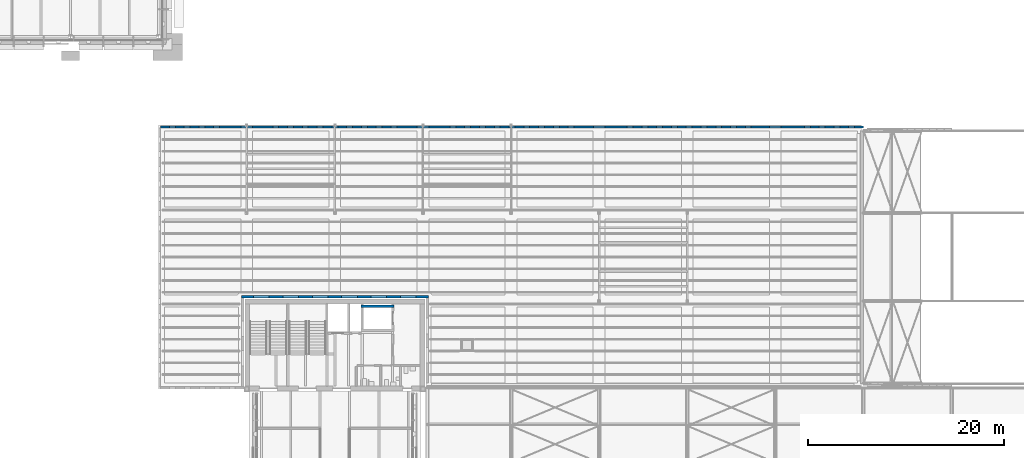
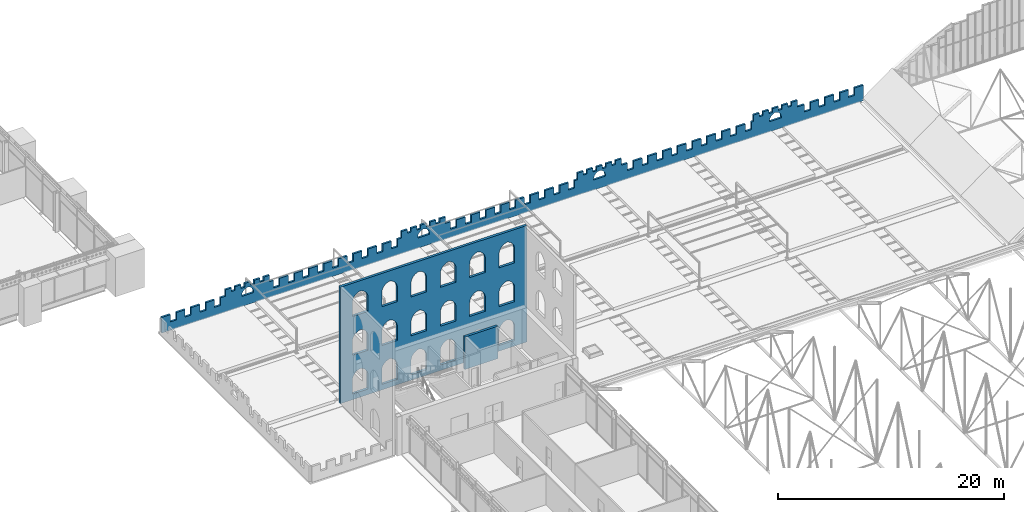
# One storey, part 111 of 153: 3 walls.
"""IFC4 building model written with IfcOpenShell, lengths in metres."""

from ifc_helpers import new_model, si_unit, direction, frame, frame_2d, origin, place, context, subcontext, project, spatial, polyline, rectangle, outline, extrude, material, layer, layer_set, type_object, element, save


model = new_model("IFC4")

# Units and contexts
model_context = context("Model", 3, precision=1e-05, world=origin(), true_north=direction((0.0, 1.0)))
body_context = subcontext(model_context, "Body", "Model", "MODEL_VIEW")
ifc_project = project(units=[si_unit("LENGTHUNIT", "METRE"), si_unit("AREAUNIT", "SQUARE_METRE"), si_unit("VOLUMEUNIT", "CUBIC_METRE"), si_unit("PLANEANGLEUNIT", "RADIAN"), si_unit("MASSUNIT", "GRAM", prefix="KILO")], contexts=[model_context])

# Site, building, storey
site_placement = place(None, origin())
site = spatial("IfcSite", under=ifc_project, at=site_placement, CompositionType="ELEMENT")
building_placement = place(site_placement, origin())
building = spatial("IfcBuilding", under=site, at=building_placement, Name="Baradari Gate Terminus", CompositionType="ELEMENT")
storey_placement = place(building_placement, frame((0.0, 0.0, 11.699951171875)))
storey = spatial("IfcBuildingStorey", under=building, at=storey_placement, Name="L02", CompositionType="ELEMENT", Elevation=11.699951171875)

# Walls
ifc_material_1 = material(Name="Concrete C32/40", Category="concrete")
ifc_layer_1 = layer(ifc_material_1, 0.25)
ifc_layer_set_1 = layer_set([ifc_layer_1], Name="Concrete C32/40")
wall_type_1 = type_object("IfcWallType", Name="Firefighting lift shaft wall SH-2 250 EI 120", PredefinedType="SOLIDWALL", material=ifc_layer_set_1)
wall_1_placement = place(storey_placement, frame((83.64990234375, 89.47509765625, 0.0), z_axis=(0.0, 0.0, 1.0), x_axis=(1.0, 0.0, 0.0)))
element("IfcWall", 1, at=wall_1_placement, inside=storey, type_object=wall_type_1, Name="Lift shaft wall LGN2 L02 N", PredefinedType="SOLIDWALL", context=body_context, shape_type="SweptSolid", body=[
    extrude(rectangle(XDim=3.400146484375, YDim=0.25, at=frame_2d((1.7001953125, 0.0))), origin(), (0.0, 0.0, 1.0), 3.51611328125),
])
ifc_material_2 = material(Name="Laterite masonry", Category="masonry")
ifc_layer_2 = layer(ifc_material_2, 0.25)
ifc_layer_set_2 = layer_set([ifc_layer_2], Name="Laterite masonry")
wall_type_2 = type_object("IfcWallType", Name="Laterite masonry wall WP-1 250", PredefinedType="SOLIDWALL", material=ifc_layer_set_2)
wall_2_placement = place(storey_placement, frame((71.449951171875, 90.425048828125, 0.0), z_axis=(0.0, 0.0, 1.0), x_axis=(1.0, 0.0, 0.0)))
element("IfcWall", 2, at=wall_2_placement, inside=storey, type_object=wall_type_2, Name="Core front course GN far face 1", PredefinedType="SOLIDWALL", context=body_context, shape_type="SweptSolid", body=[
    extrude(outline(polyline([(0.0, 0.0), (19.10009765625, 0.0), (19.10009765625, 12.60009765625), (0.0, 12.60009765625), (0.0, 0.0)]), holes=[polyline([(1.307861328125, 2.439453125), (1.35205078125, 2.545654296875), (1.40771484375, 2.646484375), (1.474609375, 2.740234375), (1.551513671875, 2.826171875), (1.6376953125, 2.90283203125), (1.731689453125, 2.96923828125), (1.83251953125, 3.024658203125), (1.939208984375, 3.068359375), (2.050048828125, 3.10009765625), (2.160888671875, 3.068359375), (2.267333984375, 3.024658203125), (2.368408203125, 2.96923828125), (2.46240234375, 2.90283203125), (2.548583984375, 2.826171875), (2.62548828125, 2.740234375), (2.692138671875, 2.646484375), (2.748046875, 2.545654296875), (2.792236328125, 2.439453125), (2.82421875, 2.32861328125), (2.843505859375, 2.215087890625), (2.85009765625, 2.10009765625), (2.85009765625, 0.60009765625), (1.25, 0.60009765625), (1.25, 2.10009765625), (1.256591796875, 2.215087890625), (1.27587890625, 2.32861328125), (1.307861328125, 2.439453125)]), polyline([(4.307861328125, 2.439453125), (4.35205078125, 2.545654296875), (4.40771484375, 2.646484375), (4.474609375, 2.740234375), (4.551513671875, 2.826171875), (4.6376953125, 2.90283203125), (4.731689453125, 2.96923828125), (4.83251953125, 3.024658203125), (4.939208984375, 3.068359375), (5.050048828125, 3.10009765625), (5.160888671875, 3.068359375), (5.267333984375, 3.024658203125), (5.368408203125, 2.96923828125), (5.46240234375, 2.90283203125), (5.548583984375, 2.826171875), (5.62548828125, 2.740234375), (5.692138671875, 2.646484375), (5.748046875, 2.545654296875), (5.792236328125, 2.439453125), (5.82421875, 2.32861328125), (5.843505859375, 2.215087890625), (5.85009765625, 2.10009765625), (5.85009765625, 0.60009765625), (4.25, 0.60009765625), (4.25, 2.10009765625), (4.256591796875, 2.215087890625), (4.27587890625, 2.32861328125), (4.307861328125, 2.439453125)]), polyline([(7.307861328125, 2.439453125), (7.35205078125, 2.545654296875), (7.40771484375, 2.646484375), (7.474609375, 2.740234375), (7.551513671875, 2.826171875), (7.6376953125, 2.90283203125), (7.731689453125, 2.96923828125), (7.83251953125, 3.024658203125), (7.939208984375, 3.068359375), (8.050048828125, 3.10009765625), (8.160888671875, 3.068359375), (8.267333984375, 3.024658203125), (8.368408203125, 2.96923828125), (8.46240234375, 2.90283203125), (8.548583984375, 2.826171875), (8.62548828125, 2.740234375), (8.692138671875, 2.646484375), (8.748046875, 2.545654296875), (8.792236328125, 2.439453125), (8.82421875, 2.32861328125), (8.843505859375, 2.215087890625), (8.85009765625, 2.10009765625), (8.85009765625, 0.60009765625), (7.25, 0.60009765625), (7.25, 2.10009765625), (7.256591796875, 2.215087890625), (7.27587890625, 2.32861328125), (7.307861328125, 2.439453125)]), polyline([(1.307861328125, 6.639404296875), (1.35205078125, 6.745849609375), (1.40771484375, 6.846435546875), (1.474609375, 6.9404296875), (1.551513671875, 7.026123046875), (1.6376953125, 7.102783203125), (1.731689453125, 7.169189453125), (1.83251953125, 7.224609375), (1.939208984375, 7.2685546875), (2.050048828125, 7.300048828125), (2.160888671875, 7.2685546875), (2.267333984375, 7.224609375), (2.368408203125, 7.169189453125), (2.46240234375, 7.102783203125), (2.548583984375, 7.026123046875), (2.62548828125, 6.9404296875), (2.692138671875, 6.846435546875), (2.748046875, 6.745849609375), (2.792236328125, 6.639404296875), (2.82421875, 6.528564453125), (2.843505859375, 6.4150390625), (2.85009765625, 6.300048828125), (2.85009765625, 4.800048828125), (1.25, 4.800048828125), (1.25, 6.300048828125), (1.256591796875, 6.4150390625), (1.27587890625, 6.528564453125), (1.307861328125, 6.639404296875)]), polyline([(4.307861328125, 6.639404296875), (4.35205078125, 6.745849609375), (4.40771484375, 6.846435546875), (4.474609375, 6.9404296875), (4.551513671875, 7.026123046875), (4.6376953125, 7.102783203125), (4.731689453125, 7.169189453125), (4.83251953125, 7.224609375), (4.939208984375, 7.2685546875), (5.050048828125, 7.300048828125), (5.160888671875, 7.2685546875), (5.267333984375, 7.224609375), (5.368408203125, 7.169189453125), (5.46240234375, 7.102783203125), (5.548583984375, 7.026123046875), (5.62548828125, 6.9404296875), (5.692138671875, 6.846435546875), (5.748046875, 6.745849609375), (5.792236328125, 6.639404296875), (5.82421875, 6.528564453125), (5.843505859375, 6.4150390625), (5.85009765625, 6.300048828125), (5.85009765625, 4.800048828125), (4.25, 4.800048828125), (4.25, 6.300048828125), (4.256591796875, 6.4150390625), (4.27587890625, 6.528564453125), (4.307861328125, 6.639404296875)]), polyline([(7.307861328125, 6.639404296875), (7.35205078125, 6.745849609375), (7.40771484375, 6.846435546875), (7.474609375, 6.9404296875), (7.551513671875, 7.026123046875), (7.6376953125, 7.102783203125), (7.731689453125, 7.169189453125), (7.83251953125, 7.224609375), (7.939208984375, 7.2685546875), (8.050048828125, 7.300048828125), (8.160888671875, 7.2685546875), (8.267333984375, 7.224609375), (8.368408203125, 7.169189453125), (8.46240234375, 7.102783203125), (8.548583984375, 7.026123046875), (8.62548828125, 6.9404296875), (8.692138671875, 6.846435546875), (8.748046875, 6.745849609375), (8.792236328125, 6.639404296875), (8.82421875, 6.528564453125), (8.843505859375, 6.4150390625), (8.85009765625, 6.300048828125), (8.85009765625, 4.800048828125), (7.25, 4.800048828125), (7.25, 6.300048828125), (7.256591796875, 6.4150390625), (7.27587890625, 6.528564453125), (7.307861328125, 6.639404296875)]), polyline([(1.307861328125, 10.83935546875), (1.35205078125, 10.94580078125), (1.40771484375, 11.04638671875), (1.474609375, 11.140380859375), (1.551513671875, 11.22607421875), (1.6376953125, 11.302734375), (1.731689453125, 11.369140625), (1.83251953125, 11.424560546875), (1.939208984375, 11.468505859375), (2.050048828125, 11.5), (2.160888671875, 11.468505859375), (2.267333984375, 11.424560546875), (2.368408203125, 11.369140625), (2.46240234375, 11.302734375), (2.548583984375, 11.22607421875), (2.62548828125, 11.140380859375), (2.692138671875, 11.04638671875), (2.748046875, 10.94580078125), (2.792236328125, 10.83935546875), (2.82421875, 10.728759765625), (2.843505859375, 10.614990234375), (2.85009765625, 10.5), (2.85009765625, 9.0), (1.25, 9.0), (1.25, 10.5), (1.256591796875, 10.614990234375), (1.27587890625, 10.728759765625), (1.307861328125, 10.83935546875)]), polyline([(4.35205078125, 10.94580078125), (4.40771484375, 11.04638671875), (4.474609375, 11.140380859375), (4.551513671875, 11.22607421875), (4.6376953125, 11.302734375), (4.731689453125, 11.369140625), (4.83251953125, 11.424560546875), (4.939208984375, 11.468505859375), (5.050048828125, 11.5), (5.160888671875, 11.468505859375), (5.267333984375, 11.424560546875), (5.368408203125, 11.369140625), (5.46240234375, 11.302734375), (5.548583984375, 11.22607421875), (5.62548828125, 11.140380859375), (5.692138671875, 11.04638671875), (5.748046875, 10.94580078125), (5.792236328125, 10.83935546875), (5.82421875, 10.728759765625), (5.843505859375, 10.614990234375), (5.85009765625, 10.5), (5.85009765625, 9.0), (4.25, 9.0), (4.25, 10.5), (4.256591796875, 10.614990234375), (4.27587890625, 10.728759765625), (4.307861328125, 10.83935546875), (4.35205078125, 10.94580078125)]), polyline([(7.35205078125, 10.94580078125), (7.40771484375, 11.04638671875), (7.474609375, 11.140380859375), (7.551513671875, 11.22607421875), (7.6376953125, 11.302734375), (7.731689453125, 11.369140625), (7.83251953125, 11.424560546875), (7.939208984375, 11.468505859375), (8.050048828125, 11.5), (8.160888671875, 11.468505859375), (8.267333984375, 11.424560546875), (8.368408203125, 11.369140625), (8.46240234375, 11.302734375), (8.548583984375, 11.22607421875), (8.62548828125, 11.140380859375), (8.692138671875, 11.04638671875), (8.748046875, 10.94580078125), (8.792236328125, 10.83935546875), (8.82421875, 10.728759765625), (8.843505859375, 10.614990234375), (8.85009765625, 10.5), (8.85009765625, 9.0), (7.25, 9.0), (7.25, 10.5), (7.256591796875, 10.614990234375), (7.27587890625, 10.728759765625), (7.307861328125, 10.83935546875), (7.35205078125, 10.94580078125)]), polyline([(10.307861328125, 2.439453125), (10.35205078125, 2.545654296875), (10.40771484375, 2.646484375), (10.474609375, 2.740234375), (10.551513671875, 2.826171875), (10.6376953125, 2.90283203125), (10.731689453125, 2.96923828125), (10.83251953125, 3.024658203125), (10.939208984375, 3.068359375), (11.050048828125, 3.10009765625), (11.160888671875, 3.068359375), (11.267333984375, 3.024658203125), (11.368408203125, 2.96923828125), (11.46240234375, 2.90283203125), (11.548583984375, 2.826171875), (11.62548828125, 2.740234375), (11.692138671875, 2.646484375), (11.748046875, 2.545654296875), (11.792236328125, 2.439453125), (11.82421875, 2.32861328125), (11.843505859375, 2.215087890625), (11.85009765625, 2.10009765625), (11.85009765625, 0.60009765625), (10.25, 0.60009765625), (10.25, 2.10009765625), (10.256591796875, 2.215087890625), (10.27587890625, 2.32861328125), (10.307861328125, 2.439453125)]), polyline([(13.307861328125, 2.439453125), (13.35205078125, 2.545654296875), (13.40771484375, 2.646484375), (13.474609375, 2.740234375), (13.551513671875, 2.826171875), (13.6376953125, 2.90283203125), (13.731689453125, 2.96923828125), (13.83251953125, 3.024658203125), (13.939208984375, 3.068359375), (14.050048828125, 3.10009765625), (14.160888671875, 3.068359375), (14.267333984375, 3.024658203125), (14.368408203125, 2.96923828125), (14.46240234375, 2.90283203125), (14.548583984375, 2.826171875), (14.62548828125, 2.740234375), (14.692138671875, 2.646484375), (14.748046875, 2.545654296875), (14.792236328125, 2.439453125), (14.82421875, 2.32861328125), (14.843505859375, 2.215087890625), (14.85009765625, 2.10009765625), (14.85009765625, 0.60009765625), (13.25, 0.60009765625), (13.25, 2.10009765625), (13.256591796875, 2.215087890625), (13.27587890625, 2.32861328125), (13.307861328125, 2.439453125)]), polyline([(16.307861328125, 2.439453125), (16.35205078125, 2.545654296875), (16.40771484375, 2.646484375), (16.474609375, 2.740234375), (16.551513671875, 2.826171875), (16.6376953125, 2.90283203125), (16.731689453125, 2.96923828125), (16.83251953125, 3.024658203125), (16.939208984375, 3.068359375), (17.050048828125, 3.10009765625), (17.160888671875, 3.068359375), (17.267333984375, 3.024658203125), (17.368408203125, 2.96923828125), (17.46240234375, 2.90283203125), (17.548583984375, 2.826171875), (17.62548828125, 2.740234375), (17.692138671875, 2.646484375), (17.748046875, 2.545654296875), (17.792236328125, 2.439453125), (17.82421875, 2.32861328125), (17.843505859375, 2.215087890625), (17.85009765625, 2.10009765625), (17.85009765625, 0.60009765625), (16.25, 0.60009765625), (16.25, 2.10009765625), (16.256591796875, 2.215087890625), (16.27587890625, 2.32861328125), (16.307861328125, 2.439453125)]), polyline([(10.307861328125, 6.639404296875), (10.35205078125, 6.745849609375), (10.40771484375, 6.846435546875), (10.474609375, 6.9404296875), (10.551513671875, 7.026123046875), (10.6376953125, 7.102783203125), (10.731689453125, 7.169189453125), (10.83251953125, 7.224609375), (10.939208984375, 7.2685546875), (11.050048828125, 7.300048828125), (11.160888671875, 7.2685546875), (11.267333984375, 7.224609375), (11.368408203125, 7.169189453125), (11.46240234375, 7.102783203125), (11.548583984375, 7.026123046875), (11.62548828125, 6.9404296875), (11.692138671875, 6.846435546875), (11.748046875, 6.745849609375), (11.792236328125, 6.639404296875), (11.82421875, 6.528564453125), (11.843505859375, 6.4150390625), (11.85009765625, 6.300048828125), (11.85009765625, 4.800048828125), (10.25, 4.800048828125), (10.25, 6.300048828125), (10.256591796875, 6.4150390625), (10.27587890625, 6.528564453125), (10.307861328125, 6.639404296875)]), polyline([(13.307861328125, 6.639404296875), (13.35205078125, 6.745849609375), (13.40771484375, 6.846435546875), (13.474609375, 6.9404296875), (13.551513671875, 7.026123046875), (13.6376953125, 7.102783203125), (13.731689453125, 7.169189453125), (13.83251953125, 7.224609375), (13.939208984375, 7.2685546875), (14.050048828125, 7.300048828125), (14.160888671875, 7.2685546875), (14.267333984375, 7.224609375), (14.368408203125, 7.169189453125), (14.46240234375, 7.102783203125), (14.548583984375, 7.026123046875), (14.62548828125, 6.9404296875), (14.692138671875, 6.846435546875), (14.748046875, 6.745849609375), (14.792236328125, 6.639404296875), (14.82421875, 6.528564453125), (14.843505859375, 6.4150390625), (14.85009765625, 6.300048828125), (14.85009765625, 4.800048828125), (13.25, 4.800048828125), (13.25, 6.300048828125), (13.256591796875, 6.4150390625), (13.27587890625, 6.528564453125), (13.307861328125, 6.639404296875)]), polyline([(16.307861328125, 6.639404296875), (16.35205078125, 6.745849609375), (16.40771484375, 6.846435546875), (16.474609375, 6.9404296875), (16.551513671875, 7.026123046875), (16.6376953125, 7.102783203125), (16.731689453125, 7.169189453125), (16.83251953125, 7.224609375), (16.939208984375, 7.2685546875), (17.050048828125, 7.300048828125), (17.160888671875, 7.2685546875), (17.267333984375, 7.224609375), (17.368408203125, 7.169189453125), (17.46240234375, 7.102783203125), (17.548583984375, 7.026123046875), (17.62548828125, 6.9404296875), (17.692138671875, 6.846435546875), (17.748046875, 6.745849609375), (17.792236328125, 6.639404296875), (17.82421875, 6.528564453125), (17.843505859375, 6.4150390625), (17.85009765625, 6.300048828125), (17.85009765625, 4.800048828125), (16.25, 4.800048828125), (16.25, 6.300048828125), (16.256591796875, 6.4150390625), (16.27587890625, 6.528564453125), (16.307861328125, 6.639404296875)]), polyline([(10.307861328125, 10.83935546875), (10.35205078125, 10.94580078125), (10.40771484375, 11.04638671875), (10.474609375, 11.140380859375), (10.551513671875, 11.22607421875), (10.6376953125, 11.302734375), (10.731689453125, 11.369140625), (10.83251953125, 11.424560546875), (10.939208984375, 11.468505859375), (11.050048828125, 11.5), (11.160888671875, 11.468505859375), (11.267333984375, 11.424560546875), (11.368408203125, 11.369140625), (11.46240234375, 11.302734375), (11.548583984375, 11.22607421875), (11.62548828125, 11.140380859375), (11.692138671875, 11.04638671875), (11.748046875, 10.94580078125), (11.792236328125, 10.83935546875), (11.82421875, 10.728759765625), (11.843505859375, 10.614990234375), (11.85009765625, 10.5), (11.85009765625, 9.0), (10.25, 9.0), (10.25, 10.5), (10.256591796875, 10.614990234375), (10.27587890625, 10.728759765625), (10.307861328125, 10.83935546875)]), polyline([(13.35205078125, 10.94580078125), (13.40771484375, 11.04638671875), (13.474609375, 11.140380859375), (13.551513671875, 11.22607421875), (13.6376953125, 11.302734375), (13.731689453125, 11.369140625), (13.83251953125, 11.424560546875), (13.939208984375, 11.468505859375), (14.050048828125, 11.5), (14.160888671875, 11.468505859375), (14.267333984375, 11.424560546875), (14.368408203125, 11.369140625), (14.46240234375, 11.302734375), (14.548583984375, 11.22607421875), (14.62548828125, 11.140380859375), (14.692138671875, 11.04638671875), (14.748046875, 10.94580078125), (14.792236328125, 10.83935546875), (14.82421875, 10.728759765625), (14.843505859375, 10.614990234375), (14.85009765625, 10.5), (14.85009765625, 9.0), (13.25, 9.0), (13.25, 10.5), (13.256591796875, 10.614990234375), (13.27587890625, 10.728759765625), (13.307861328125, 10.83935546875), (13.35205078125, 10.94580078125)]), polyline([(16.35205078125, 10.94580078125), (16.40771484375, 11.04638671875), (16.474609375, 11.140380859375), (16.551513671875, 11.22607421875), (16.6376953125, 11.302734375), (16.731689453125, 11.369140625), (16.83251953125, 11.424560546875), (16.939208984375, 11.468505859375), (17.050048828125, 11.5), (17.160888671875, 11.468505859375), (17.267333984375, 11.424560546875), (17.368408203125, 11.369140625), (17.46240234375, 11.302734375), (17.548583984375, 11.22607421875), (17.62548828125, 11.140380859375), (17.692138671875, 11.04638671875), (17.748046875, 10.94580078125), (17.792236328125, 10.83935546875), (17.82421875, 10.728759765625), (17.843505859375, 10.614990234375), (17.85009765625, 10.5), (17.85009765625, 9.0), (16.25, 9.0), (16.25, 10.5), (16.256591796875, 10.614990234375), (16.27587890625, 10.728759765625), (16.307861328125, 10.83935546875), (16.35205078125, 10.94580078125)])]), frame((0.0, 0.125, 0.0), z_axis=(0.0, -1.0, 0.0), x_axis=(1.0, 0.0, 0.0)), (0.0, 0.0, 1.0), 0.25),
])
ifc_material_3 = material(Name="Concrete C32/40 precast", Category="concrete")
ifc_layer_3 = layer(ifc_material_3, 0.199951171875)
ifc_layer_set_3 = layer_set([ifc_layer_3], Name="Concrete C32/40 precast")
wall_type_3 = type_object("IfcWallType", Name="Parapet PW-6 200x2400 wing crown", PredefinedType="PARAPET", material=ifc_layer_set_3)
wall_3_placement = place(storey_placement, frame((63.199951171875, 107.75341796875, 0.0), z_axis=(0.0, 0.0, 1.0), x_axis=(1.0, 0.0, 0.0)))
element("IfcWall", 3, at=wall_3_placement, inside=storey, type_object=wall_type_3, Name="Head-house roof parapet PR-H1 1 1", PredefinedType="PARAPET", context=body_context, shape_type="SweptSolid", body=[
    extrude(outline(polyline([(24.13623046875, 1.699951171875), (24.13623046875, 0.900146484375), (23.527587890625, 0.900146484375), (23.527587890625, 1.699951171875), (22.627685546875, 1.699951171875), (22.627685546875, 0.900146484375), (22.01904296875, 0.900146484375), (22.01904296875, 1.699951171875), (21.119140625, 1.699951171875), (21.119140625, 0.900146484375), (20.510498046875, 0.900146484375), (20.510498046875, 1.699951171875), (19.610595703125, 1.699951171875), (19.610595703125, 0.900146484375), (19.002197265625, 0.900146484375), (19.002197265625, 1.699951171875), (18.10205078125, 1.699951171875), (18.10205078125, 0.900146484375), (17.49365234375, 0.900146484375), (17.49365234375, 1.699951171875), (16.593505859375, 1.699951171875), (16.593505859375, 0.900146484375), (15.985107421875, 0.900146484375), (15.985107421875, 1.699951171875), (15.085205078125, 1.699951171875), (15.085205078125, 0.900146484375), (14.4765625, 0.900146484375), (14.4765625, 1.699951171875), (13.57666015625, 1.699951171875), (13.57666015625, 0.900146484375), (12.968017578125, 0.900146484375), (12.968017578125, 1.699951171875), (12.068115234375, 1.699951171875), (12.068115234375, 0.900146484375), (11.459716796875, 0.900146484375), (11.459716796875, 1.699951171875), (11.050048828125, 1.699951171875), (11.050048828125, 2.400146484375), (10.449951171875, 2.400146484375), (10.449951171875, 2.0), (10.074951171875, 2.0), (10.074951171875, 2.400146484375), (9.47509765625, 2.400146484375), (9.47509765625, 2.0), (9.10009765625, 2.0), (9.10009765625, 2.400146484375), (8.5, 2.400146484375), (8.5, 2.0), (8.125, 2.0), (8.125, 2.400146484375), (7.52490234375, 2.400146484375), (7.52490234375, 2.0), (7.14990234375, 2.0), (7.14990234375, 2.400146484375), (6.550048828125, 2.400146484375), (6.550048828125, 1.699951171875), (6.033935546875, 1.699951171875), (6.033935546875, 0.900146484375), (5.425537109375, 0.900146484375), (5.425537109375, 1.699951171875), (4.525390625, 1.699951171875), (4.525390625, 0.900146484375), (3.9169921875, 0.900146484375), (3.9169921875, 1.699951171875), (3.01708984375, 1.699951171875), (3.01708984375, 0.900146484375), (2.408447265625, 0.900146484375), (2.408447265625, 1.699951171875), (1.508544921875, 1.699951171875), (1.508544921875, 0.900146484375), (0.89990234375, 0.900146484375), (0.89990234375, 1.699951171875), (0.0, 1.699951171875), (0.0, 0.0), (71.800048828125, 0.0), (71.800048828125, 1.699951171875), (70.89990234375, 1.699951171875), (70.89990234375, 0.900146484375), (70.29150390625, 0.900146484375), (70.29150390625, 1.699951171875), (69.3916015625, 1.699951171875), (69.3916015625, 0.900146484375), (68.782958984375, 0.900146484375), (68.782958984375, 1.699951171875), (67.883056640625, 1.699951171875), (67.883056640625, 0.900146484375), (67.2744140625, 0.900146484375), (67.2744140625, 1.699951171875), (66.37451171875, 1.699951171875), (66.37451171875, 0.900146484375), (65.76611328125, 0.900146484375), (65.76611328125, 1.699951171875), (65.050048828125, 1.699951171875), (65.050048828125, 2.400146484375), (64.449951171875, 2.400146484375), (64.449951171875, 2.0), (64.074951171875, 2.0), (64.074951171875, 2.400146484375), (63.47509765625, 2.400146484375), (63.47509765625, 2.0), (63.10009765625, 2.0), (63.10009765625, 2.400146484375), (62.5, 2.400146484375), (62.5, 2.0), (62.125, 2.0), (62.125, 2.400146484375), (61.52490234375, 2.400146484375), (61.52490234375, 2.0), (61.14990234375, 2.0), (61.14990234375, 2.400146484375), (60.550048828125, 2.400146484375), (60.550048828125, 1.699951171875), (60.34033203125, 1.699951171875), (60.34033203125, 0.900146484375), (59.73193359375, 0.900146484375), (59.73193359375, 1.699951171875), (58.831787109375, 1.699951171875), (58.831787109375, 0.900146484375), (58.223388671875, 0.900146484375), (58.223388671875, 1.699951171875), (57.323486328125, 1.699951171875), (57.323486328125, 0.900146484375), (56.71484375, 0.900146484375), (56.71484375, 1.699951171875), (55.81494140625, 1.699951171875), (55.81494140625, 0.900146484375), (55.206298828125, 0.900146484375), (55.206298828125, 1.699951171875), (54.306396484375, 1.699951171875), (54.306396484375, 0.900146484375), (53.697998046875, 0.900146484375), (53.697998046875, 1.699951171875), (52.7978515625, 1.699951171875), (52.7978515625, 0.900146484375), (52.189453125, 0.900146484375), (52.189453125, 1.699951171875), (51.289306640625, 1.699951171875), (51.289306640625, 0.900146484375), (50.680908203125, 0.900146484375), (50.680908203125, 1.699951171875), (49.781005859375, 1.699951171875), (49.781005859375, 0.900146484375), (49.17236328125, 0.900146484375), (49.17236328125, 1.699951171875), (48.272216796875, 1.699951171875), (48.272216796875, 0.900146484375), (47.663818359375, 0.900146484375), (47.663818359375, 1.699951171875), (47.050048828125, 1.699951171875), (47.050048828125, 2.400146484375), (46.449951171875, 2.400146484375), (46.449951171875, 2.0), (46.074951171875, 2.0), (46.074951171875, 2.400146484375), (45.47509765625, 2.400146484375), (45.47509765625, 2.0), (45.10009765625, 2.0), (45.10009765625, 2.400146484375), (44.5, 2.400146484375), (44.5, 2.0), (44.125, 2.0), (44.125, 2.400146484375), (43.52490234375, 2.400146484375), (43.52490234375, 2.0), (43.14990234375, 2.0), (43.14990234375, 2.400146484375), (42.550048828125, 2.400146484375), (42.550048828125, 1.699951171875), (42.23828125, 1.699951171875), (42.23828125, 0.900146484375), (41.6298828125, 0.900146484375), (41.6298828125, 1.699951171875), (40.729736328125, 1.699951171875), (40.729736328125, 0.900146484375), (40.121337890625, 0.900146484375), (40.121337890625, 1.699951171875), (39.22119140625, 1.699951171875), (39.22119140625, 0.900146484375), (38.61279296875, 0.900146484375), (38.61279296875, 1.699951171875), (37.712890625, 1.699951171875), (37.712890625, 0.900146484375), (37.104248046875, 0.900146484375), (37.104248046875, 1.699951171875), (36.204345703125, 1.699951171875), (36.204345703125, 0.900146484375), (35.595703125, 0.900146484375), (35.595703125, 1.699951171875), (34.69580078125, 1.699951171875), (34.69580078125, 0.900146484375), (34.087158203125, 0.900146484375), (34.087158203125, 1.699951171875), (33.187255859375, 1.699951171875), (33.187255859375, 0.900146484375), (32.57861328125, 0.900146484375), (32.57861328125, 1.699951171875), (31.6787109375, 1.699951171875), (31.6787109375, 0.900146484375), (31.0703125, 0.900146484375), (31.0703125, 1.699951171875), (30.170166015625, 1.699951171875), (30.170166015625, 0.900146484375), (29.561767578125, 0.900146484375), (29.561767578125, 1.699951171875), (29.050048828125, 1.699951171875), (29.050048828125, 2.400146484375), (28.449951171875, 2.400146484375), (28.449951171875, 2.0), (28.074951171875, 2.0), (28.074951171875, 2.400146484375), (27.47509765625, 2.400146484375), (27.47509765625, 2.0), (27.10009765625, 2.0), (27.10009765625, 2.400146484375), (26.5, 2.400146484375), (26.5, 2.0), (26.125, 2.0), (26.125, 2.400146484375), (25.52490234375, 2.400146484375), (25.52490234375, 2.0), (25.14990234375, 2.0), (25.14990234375, 2.400146484375), (24.550048828125, 2.400146484375), (24.550048828125, 1.699951171875), (24.13623046875, 1.699951171875)]), holes=[polyline([(8.204833984375, 1.283447265625), (8.2197265625, 1.365966796875), (8.243896484375, 1.44580078125), (8.277587890625, 1.5224609375), (8.320068359375, 1.594482421875), (8.37060546875, 1.6611328125), (8.4287109375, 1.72119140625), (8.493408203125, 1.774169921875), (8.56396484375, 1.81884765625), (8.63916015625, 1.855224609375), (8.71826171875, 1.882568359375), (8.800048828125, 1.900146484375), (8.881591796875, 1.882568359375), (8.960693359375, 1.855224609375), (9.0361328125, 1.81884765625), (9.106689453125, 1.774169921875), (9.17138671875, 1.72119140625), (9.2294921875, 1.6611328125), (9.280029296875, 1.594482421875), (9.322509765625, 1.5224609375), (9.35595703125, 1.44580078125), (9.38037109375, 1.365966796875), (9.39501953125, 1.283447265625), (9.39990234375, 1.199951171875), (9.39990234375, 1.10009765625), (8.199951171875, 1.10009765625), (8.199951171875, 1.199951171875), (8.204833984375, 1.283447265625)]), polyline([(26.204833984375, 1.283447265625), (26.2197265625, 1.365966796875), (26.243896484375, 1.44580078125), (26.277587890625, 1.5224609375), (26.320068359375, 1.594482421875), (26.37060546875, 1.6611328125), (26.4287109375, 1.72119140625), (26.493408203125, 1.774169921875), (26.56396484375, 1.81884765625), (26.63916015625, 1.855224609375), (26.71826171875, 1.882568359375), (26.800048828125, 1.900146484375), (26.881591796875, 1.882568359375), (26.960693359375, 1.855224609375), (27.0361328125, 1.81884765625), (27.106689453125, 1.774169921875), (27.17138671875, 1.72119140625), (27.2294921875, 1.6611328125), (27.280029296875, 1.594482421875), (27.322509765625, 1.5224609375), (27.35595703125, 1.44580078125), (27.38037109375, 1.365966796875), (27.39501953125, 1.283447265625), (27.39990234375, 1.199951171875), (27.39990234375, 1.10009765625), (26.199951171875, 1.10009765625), (26.199951171875, 1.199951171875), (26.204833984375, 1.283447265625)]), polyline([(44.204833984375, 1.283447265625), (44.2197265625, 1.365966796875), (44.243896484375, 1.44580078125), (44.277587890625, 1.5224609375), (44.320068359375, 1.594482421875), (44.37060546875, 1.6611328125), (44.4287109375, 1.72119140625), (44.493408203125, 1.774169921875), (44.56396484375, 1.81884765625), (44.63916015625, 1.855224609375), (44.71826171875, 1.882568359375), (44.800048828125, 1.900146484375), (44.881591796875, 1.882568359375), (44.960693359375, 1.855224609375), (45.0361328125, 1.81884765625), (45.106689453125, 1.774169921875), (45.17138671875, 1.72119140625), (45.2294921875, 1.6611328125), (45.280029296875, 1.594482421875), (45.322509765625, 1.5224609375), (45.35595703125, 1.44580078125), (45.38037109375, 1.365966796875), (45.39501953125, 1.283447265625), (45.39990234375, 1.199951171875), (45.39990234375, 1.10009765625), (44.199951171875, 1.10009765625), (44.199951171875, 1.199951171875), (44.204833984375, 1.283447265625)]), polyline([(62.204833984375, 1.283447265625), (62.2197265625, 1.365966796875), (62.243896484375, 1.44580078125), (62.277587890625, 1.5224609375), (62.320068359375, 1.594482421875), (62.37060546875, 1.6611328125), (62.4287109375, 1.72119140625), (62.493408203125, 1.774169921875), (62.56396484375, 1.81884765625), (62.63916015625, 1.855224609375), (62.71826171875, 1.882568359375), (62.800048828125, 1.900146484375), (62.881591796875, 1.882568359375), (62.960693359375, 1.855224609375), (63.0361328125, 1.81884765625), (63.106689453125, 1.774169921875), (63.17138671875, 1.72119140625), (63.2294921875, 1.6611328125), (63.280029296875, 1.594482421875), (63.322509765625, 1.5224609375), (63.35595703125, 1.44580078125), (63.38037109375, 1.365966796875), (63.39501953125, 1.283447265625), (63.39990234375, 1.199951171875), (63.39990234375, 1.10009765625), (62.199951171875, 1.10009765625), (62.199951171875, 1.199951171875), (62.204833984375, 1.283447265625)])]), frame((0.0, 0.10009765625, 0.0), z_axis=(0.0, -1.0, 0.0), x_axis=(1.0, 0.0, 0.0)), (0.0, 0.0, 1.0), 0.199951171875),
])

save(model, "model.ifc")
